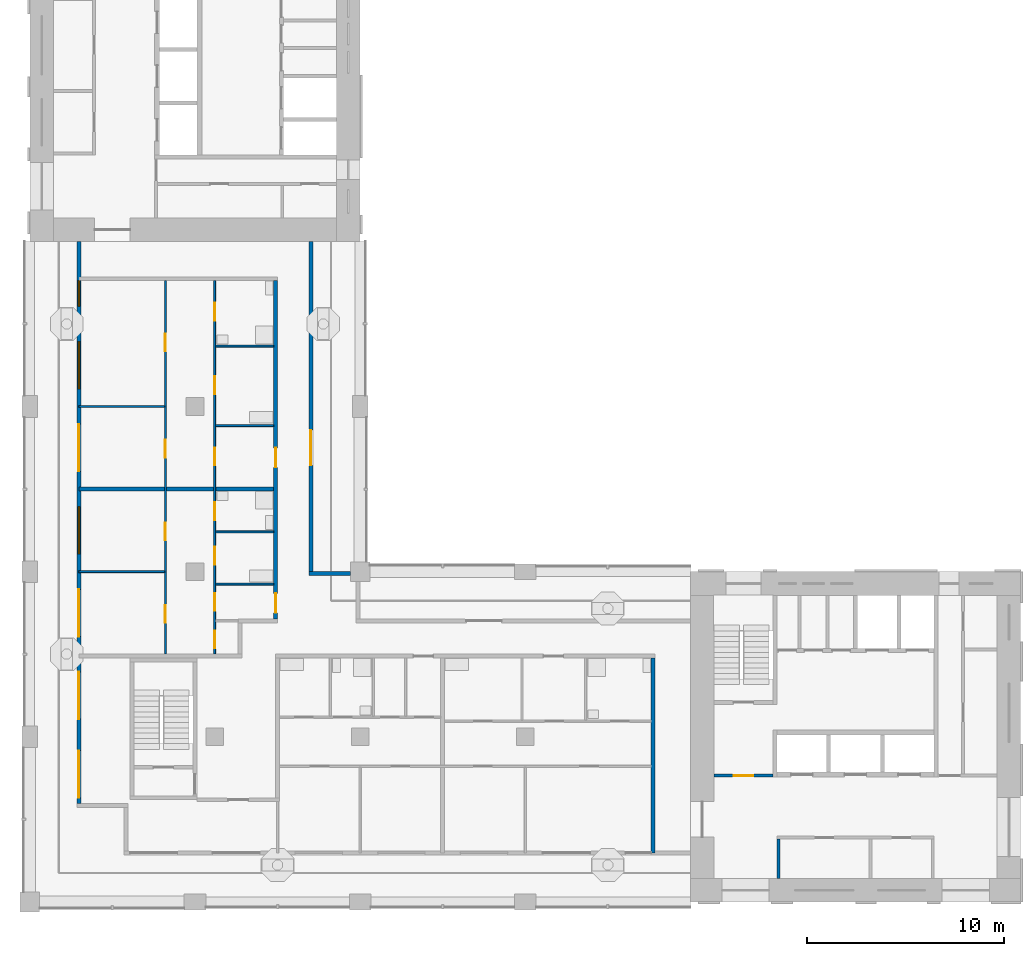
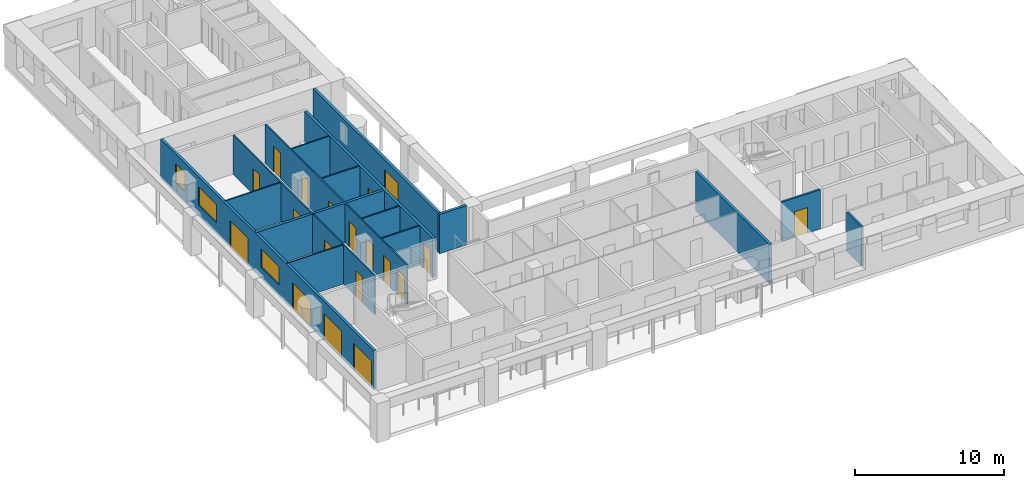
# One storey, part 3 of 12: 19 doors, 16 walls, 3 windows, 22 openings.
"""IFC4 building model written with IfcOpenShell, lengths in metres."""

from ifc_helpers import new_model, si_unit, direction, frame, frame_2d, origin, place, context, subcontext, project, spatial, rectangle, extrude, material, layer, layer_set, type_object, element, fill, save


model = new_model("IFC4")

# Units and contexts
model_context = context("Model", 3, precision=1e-05, world=origin(), true_north=direction((0.0, 1.0)))
body_context = subcontext(model_context, "Body", "Model", "MODEL_VIEW")
ifc_project = project(units=[si_unit("LENGTHUNIT", "METRE"), si_unit("AREAUNIT", "SQUARE_METRE"), si_unit("VOLUMEUNIT", "CUBIC_METRE"), si_unit("PLANEANGLEUNIT", "RADIAN"), si_unit("MASSUNIT", "GRAM", prefix="KILO")], contexts=[model_context])

# Site, building, storey
site_placement = place(None, origin())
site = spatial("IfcSite", under=ifc_project, at=site_placement, CompositionType="ELEMENT")
building_placement = place(site_placement, origin())
building = spatial("IfcBuilding", under=site, at=building_placement, Name="Vermilion Gate Residences", CompositionType="ELEMENT")
storey_placement = place(building_placement, frame((0.0, 0.0, 214.199951171875)))
storey = spatial("IfcBuildingStorey", under=building, at=storey_placement, Name="L55", CompositionType="ELEMENT", Elevation=214.199951171875)

# Wall
ifc_material_1 = material(Name="Masonry blockwork", Category="masonry")
ifc_layer_1 = layer(ifc_material_1, 0.14990234375)
ifc_layer_set_1 = layer_set([ifc_layer_1], Name="BLOCKWORK PARTITION 150 EI 120")
wall_type_1 = type_object("IfcWallType", Name="BLOCKWORK PARTITION 150 EI 120", PredefinedType="PARTITIONING", material=ifc_layer_set_1)
wall_1_placement = place(storey_placement, frame((46.47509765625, 9.60009765625, 0.0), z_axis=(0.0, 0.0, 1.0), x_axis=(0.0, 1.0, 0.0)))
element("IfcWall", 1, at=wall_1_placement, inside=storey, type_object=wall_type_1, Name="Core room partition A55-RW-W", PredefinedType="PARTITIONING", context=body_context, shape_type="SweptSolid", body=[
    extrude(rectangle(XDim=2.0, YDim=0.14990234375, at=frame_2d((1.0, 0.0))), origin(), (0.0, 0.0, 1.0), 3.219970703125),
])

# Wall, opening, door
wall_2_placement = place(storey_placement, frame((43.199951171875, 14.824951171875, 0.0), z_axis=(0.0, 0.0, 1.0), x_axis=(1.0, 0.0, 0.0)))
wall_2 = element("IfcWall", 2, at=wall_2_placement, inside=storey, type_object=wall_type_1, Name="Core room partition A55-VW-S", PredefinedType="PARTITIONING", context=body_context, shape_type="SweptSolid", body=[
    extrude(rectangle(XDim=3.0, YDim=0.14990234375, at=frame_2d((1.5, 0.0))), origin(), (0.0, 0.0, 1.0), 3.219970703125),
])
opening_1_placement = place(wall_2_placement, frame((1.0, 0.0, 0.0)))
opening_1 = element("IfcOpeningElement", 3, at=opening_1_placement, cuts=wall_2, Name="Opening DK55012", PredefinedType="OPENING", context=body_context, shape_type="SweptSolid", body=[
    extrude(rectangle(XDim=1.0, YDim=2.10009765625, at=frame_2d((0.5, 1.050048828125))), frame((0.0, 0.0849609375, 0.0), z_axis=(0.0, -1.0, 0.0), x_axis=(1.0, 0.0, 0.0)), (0.0, 0.0, 1.0), 0.169921875),
])
ifc_material_2 = material(Name="Steel", Category="steel")
door_type_1 = type_object("IfcDoorType", Name="FIRE DOOR FD60 1000 X 2100", OperationType="SINGLE_SWING_LEFT", PredefinedType="DOOR", material=ifc_material_2)
door_1_placement = place(opening_1_placement, frame((1.0, 0.0, 0.0), z_axis=(0.0, 0.0, 1.0), x_axis=(-1.0, 0.0, 0.0)))
door_1 = element("IfcDoor", 4, at=door_1_placement, inside=storey, type_object=door_type_1, Name="Stair vestibule door A55", OperationType="SINGLE_SWING_RIGHT", OverallHeight=2.10009765625, OverallWidth=1.0, PredefinedType="DOOR", context=body_context, shape_type="SweptSolid", body=[
    extrude(rectangle(XDim=1.0, YDim=2.10009765625, at=frame_2d((0.5, 1.050048828125))), frame((0.0, 0.02490234375, 0.0), z_axis=(0.0, -1.0, 0.0), x_axis=(1.0, 0.0, 0.0)), (0.0, 0.0, 1.0), 0.050048828125),
])
fill(opening_1, door_1)

# Wall, openings, doors, windows
ifc_material_3 = material(Name="Insulated steel stud wall with terracotta rainscreen", Category="masonry")
ifc_layer_2 = layer(ifc_material_3, 0.199951171875)
ifc_layer_set_2 = layer_set([ifc_layer_2], Name="EXTERNAL WALL 200 TERRACOTTA RAINSCREEN")
wall_type_2 = type_object("IfcWallType", Name="EXTERNAL WALL 200 TERRACOTTA RAINSCREEN", PredefinedType="SOLIDWALL", material=ifc_layer_set_2)
wall_3_placement = place(storey_placement, frame((10.89990234375, 42.0, 0.0), z_axis=(0.0, 0.0, 1.0), x_axis=(0.0, -1.0, 0.0)))
wall_3 = element("IfcWall", 5, at=wall_3_placement, inside=storey, type_object=wall_type_2, Name="External wall", PredefinedType="SOLIDWALL", context=body_context, shape_type="SweptSolid", body=[
    extrude(rectangle(XDim=28.60009765625, YDim=0.199951171875, at=frame_2d((14.300048828125, 0.0))), origin(), (0.0, 0.0, 1.0), 3.219970703125),
])
opening_2_placement = place(wall_3_placement, frame((25.89990234375, 0.0, 0.0)))
opening_2 = element("IfcOpeningElement", 6, at=opening_2_placement, cuts=wall_3, Name="Opening DE55001", PredefinedType="OPENING", context=body_context, shape_type="SweptSolid", body=[
    extrude(rectangle(XDim=2.39990234375, YDim=2.199951171875, at=frame_2d((1.199951171875, 1.10009765625))), frame((0.0, 0.10986328125, 0.0), z_axis=(0.0, -1.0, 0.0), x_axis=(1.0, 0.0, 0.0)), (0.0, 0.0, 1.0), 0.219970703125),
])
opening_3_placement = place(wall_3_placement, frame((21.89990234375, 0.0, 0.0)))
opening_3 = element("IfcOpeningElement", 7, at=opening_3_placement, cuts=wall_3, Name="Opening DE55002", PredefinedType="OPENING", context=body_context, shape_type="SweptSolid", body=[
    extrude(rectangle(XDim=2.39990234375, YDim=2.199951171875, at=frame_2d((1.199951171875, 1.10009765625))), frame((0.0, 0.10986328125, 0.0), z_axis=(0.0, -1.0, 0.0), x_axis=(1.0, 0.0, 0.0)), (0.0, 0.0, 1.0), 0.219970703125),
])
opening_4_placement = place(wall_3_placement, frame((17.699951171875, 0.0, 0.0)))
opening_4 = element("IfcOpeningElement", 8, at=opening_4_placement, cuts=wall_3, Name="Opening DE55003", PredefinedType="OPENING", context=body_context, shape_type="SweptSolid", body=[
    extrude(rectangle(XDim=2.39990234375, YDim=2.199951171875, at=frame_2d((1.199951171875, 1.10009765625))), frame((0.0, 0.10986328125, 0.0), z_axis=(0.0, -1.0, 0.0), x_axis=(1.0, 0.0, 0.0)), (0.0, 0.0, 1.0), 0.219970703125),
])
opening_5_placement = place(wall_3_placement, frame((13.5, 0.0, 0.89990234375)))
opening_5 = element("IfcOpeningElement", 9, at=opening_5_placement, cuts=wall_3, Name="Opening WE55004", PredefinedType="OPENING", context=body_context, shape_type="SweptSolid", body=[
    extrude(rectangle(XDim=2.39990234375, YDim=1.5, at=frame_2d((1.199951171875, 0.75))), frame((0.0, 0.10986328125, 0.0), z_axis=(0.0, -1.0, 0.0), x_axis=(1.0, 0.0, 0.0)), (0.0, 0.0, 1.0), 0.219970703125),
])
opening_6_placement = place(wall_3_placement, frame((9.300048828125, 0.0, 0.0)))
opening_6 = element("IfcOpeningElement", 10, at=opening_6_placement, cuts=wall_3, Name="Opening DE55005", PredefinedType="OPENING", context=body_context, shape_type="SweptSolid", body=[
    extrude(rectangle(XDim=2.39990234375, YDim=2.199951171875, at=frame_2d((1.199951171875, 1.10009765625))), frame((0.0, 0.10986328125, 0.0), z_axis=(0.0, -1.0, 0.0), x_axis=(1.0, 0.0, 0.0)), (0.0, 0.0, 1.0), 0.219970703125),
])
opening_7_placement = place(wall_3_placement, frame((5.10009765625, 0.0, 0.89990234375)))
opening_7 = element("IfcOpeningElement", 11, at=opening_7_placement, cuts=wall_3, Name="Opening WE55006", PredefinedType="OPENING", context=body_context, shape_type="SweptSolid", body=[
    extrude(rectangle(XDim=2.39990234375, YDim=1.5, at=frame_2d((1.199951171875, 0.75))), frame((0.0, 0.10986328125, 0.0), z_axis=(0.0, -1.0, 0.0), x_axis=(1.0, 0.0, 0.0)), (0.0, 0.0, 1.0), 0.219970703125),
])
opening_8_placement = place(wall_3_placement, frame((2.0, 0.0, 0.89990234375)))
opening_8 = element("IfcOpeningElement", 12, at=opening_8_placement, cuts=wall_3, Name="Opening WE55007", PredefinedType="OPENING", context=body_context, shape_type="SweptSolid", body=[
    extrude(rectangle(XDim=1.300048828125, YDim=1.5, at=frame_2d((0.64990234375, 0.75))), frame((0.0, 0.10986328125, 0.0), z_axis=(0.0, -1.0, 0.0), x_axis=(1.0, 0.0, 0.0)), (0.0, 0.0, 1.0), 0.219970703125),
])
ifc_material_4 = material(Name="Aluminium and clear glass", Category="aluminium")
door_type_2 = type_object("IfcDoorType", Name="SLIDING GLAZED DOOR 2400 X 2200", OperationType="DOUBLE_DOOR_SLIDING", PredefinedType="DOOR", material=ifc_material_4)
door_2_placement = place(opening_2_placement, origin())
door_2 = element("IfcDoor", 13, at=door_2_placement, inside=storey, type_object=door_type_2, Name="Loggia sliding door", OperationType="DOUBLE_DOOR_SLIDING", OverallHeight=2.199951171875, OverallWidth=2.39990234375, PredefinedType="DOOR", context=body_context, shape_type="SweptSolid", body=[
    extrude(rectangle(XDim=2.39990234375, YDim=2.199951171875, at=frame_2d((1.199951171875, 1.10009765625))), frame((0.0, 0.02490234375, 0.0), z_axis=(0.0, -1.0, 0.0), x_axis=(1.0, 0.0, 0.0)), (0.0, 0.0, 1.0), 0.050048828125),
])
fill(opening_2, door_2)
door_3_placement = place(opening_3_placement, origin())
door_3 = element("IfcDoor", 14, at=door_3_placement, inside=storey, type_object=door_type_2, Name="Loggia sliding door", OperationType="DOUBLE_DOOR_SLIDING", OverallHeight=2.199951171875, OverallWidth=2.39990234375, PredefinedType="DOOR", context=body_context, shape_type="SweptSolid", body=[
    extrude(rectangle(XDim=2.39990234375, YDim=2.199951171875, at=frame_2d((1.199951171875, 1.10009765625))), frame((0.0, 0.02490234375, 0.0), z_axis=(0.0, -1.0, 0.0), x_axis=(1.0, 0.0, 0.0)), (0.0, 0.0, 1.0), 0.050048828125),
])
fill(opening_3, door_3)
door_4_placement = place(opening_4_placement, origin())
door_4 = element("IfcDoor", 15, at=door_4_placement, inside=storey, type_object=door_type_2, Name="Loggia sliding door", OperationType="DOUBLE_DOOR_SLIDING", OverallHeight=2.199951171875, OverallWidth=2.39990234375, PredefinedType="DOOR", context=body_context, shape_type="SweptSolid", body=[
    extrude(rectangle(XDim=2.39990234375, YDim=2.199951171875, at=frame_2d((1.199951171875, 1.10009765625))), frame((0.0, 0.02490234375, 0.0), z_axis=(0.0, -1.0, 0.0), x_axis=(1.0, 0.0, 0.0)), (0.0, 0.0, 1.0), 0.050048828125),
])
fill(opening_4, door_4)
door_5_placement = place(opening_6_placement, origin())
door_5 = element("IfcDoor", 16, at=door_5_placement, inside=storey, type_object=door_type_2, Name="Loggia sliding door", OperationType="DOUBLE_DOOR_SLIDING", OverallHeight=2.199951171875, OverallWidth=2.39990234375, PredefinedType="DOOR", context=body_context, shape_type="SweptSolid", body=[
    extrude(rectangle(XDim=2.39990234375, YDim=2.199951171875, at=frame_2d((1.199951171875, 1.10009765625))), frame((0.0, 0.02490234375, 0.0), z_axis=(0.0, -1.0, 0.0), x_axis=(1.0, 0.0, 0.0)), (0.0, 0.0, 1.0), 0.050048828125),
])
fill(opening_6, door_5)
ifc_material_5 = material(Name="Aluminium and clear glass", Category="aluminium")
window_type_1 = type_object("IfcWindowType", Name="WINDOW 1300 X 1500", PartitioningType="SINGLE_PANEL", PredefinedType="WINDOW", material=ifc_material_5)
window_1_placement = place(opening_8_placement, origin())
window_1 = element("IfcWindow", 17, at=window_1_placement, inside=storey, type_object=window_type_1, Name="Window", OverallHeight=1.5, OverallWidth=1.300048828125, PartitioningType="SINGLE_PANEL", PredefinedType="WINDOW", context=body_context, shape_type="SweptSolid", body=[
    extrude(rectangle(XDim=1.300048828125, YDim=1.5, at=frame_2d((0.64990234375, 0.75))), frame((0.0, 0.030029296875, 0.0), z_axis=(0.0, -1.0, 0.0), x_axis=(1.0, 0.0, 0.0)), (0.0, 0.0, 1.0), 0.06005859375),
])
fill(opening_8, window_1)
ifc_material_6 = material(Name="Aluminium and clear glass", Category="aluminium")
window_type_2 = type_object("IfcWindowType", Name="WINDOW 2400 X 1500", PartitioningType="SINGLE_PANEL", PredefinedType="WINDOW", material=ifc_material_6)
window_2_placement = place(opening_5_placement, origin())
window_2 = element("IfcWindow", 18, at=window_2_placement, inside=storey, type_object=window_type_2, Name="Window", OverallHeight=1.5, OverallWidth=2.39990234375, PartitioningType="SINGLE_PANEL", PredefinedType="WINDOW", context=body_context, shape_type="SweptSolid", body=[
    extrude(rectangle(XDim=2.39990234375, YDim=1.5, at=frame_2d((1.199951171875, 0.75))), frame((0.0, 0.030029296875, 0.0), z_axis=(0.0, -1.0, 0.0), x_axis=(1.0, 0.0, 0.0)), (0.0, 0.0, 1.0), 0.06005859375),
])
fill(opening_5, window_2)
window_3_placement = place(opening_7_placement, origin())
window_3 = element("IfcWindow", 19, at=window_3_placement, inside=storey, type_object=window_type_2, Name="Window", OverallHeight=1.5, OverallWidth=2.39990234375, PartitioningType="SINGLE_PANEL", PredefinedType="WINDOW", context=body_context, shape_type="SweptSolid", body=[
    extrude(rectangle(XDim=2.39990234375, YDim=1.5, at=frame_2d((1.199951171875, 0.75))), frame((0.0, 0.030029296875, 0.0), z_axis=(0.0, -1.0, 0.0), x_axis=(1.0, 0.0, 0.0)), (0.0, 0.0, 1.0), 0.06005859375),
])
fill(opening_7, window_3)

# Wall
wall_4_placement = place(storey_placement, frame((24.699951171875, 25.10009765625, 0.0), z_axis=(0.0, 0.0, 1.0), x_axis=(-1.0, 0.0, 0.0)))
element("IfcWall", 20, at=wall_4_placement, inside=storey, type_object=wall_type_2, Name="External wall", PredefinedType="SOLIDWALL", context=body_context, shape_type="SweptSolid", body=[
    extrude(rectangle(XDim=2.099853515625, YDim=0.199951171875, at=frame_2d((1.0498046875, 0.0))), origin(), (0.0, 0.0, 1.0), 3.219970703125),
])

# Wall, opening, door
wall_5_placement = place(storey_placement, frame((22.699951171875, 25.199951171875, 0.0), z_axis=(0.0, 0.0, 1.0), x_axis=(0.0, 1.0, 0.0)))
wall_5 = element("IfcWall", 21, at=wall_5_placement, inside=storey, type_object=wall_type_2, Name="External wall", PredefinedType="SOLIDWALL", context=body_context, shape_type="SweptSolid", body=[
    extrude(rectangle(XDim=16.800048828125, YDim=0.199951171875, at=frame_2d((8.39990234375, 0.0))), origin(), (0.0, 0.0, 1.0), 3.219970703125),
])
opening_9_placement = place(wall_5_placement, frame((5.39990234375, 0.0, 0.0)))
opening_9 = element("IfcOpeningElement", 22, at=opening_9_placement, cuts=wall_5, Name="Opening DE55016", PredefinedType="OPENING", context=body_context, shape_type="SweptSolid", body=[
    extrude(rectangle(XDim=1.800048828125, YDim=2.39990234375, at=frame_2d((0.89990234375, 1.199951171875))), frame((0.0, 0.10986328125, 0.0), z_axis=(0.0, -1.0, 0.0), x_axis=(1.0, 0.0, 0.0)), (0.0, 0.0, 1.0), 0.219970703125),
])
ifc_material_7 = material(Name="Aluminium and clear glass", Category="aluminium")
door_type_3 = type_object("IfcDoorType", Name="GLAZED EXTERNAL DOOR 1800 X 2400", OperationType="DOUBLE_DOOR_SINGLE_SWING", PredefinedType="DOOR", material=ifc_material_7)
door_6_placement = place(opening_9_placement, frame((1.800048828125, 0.0, 0.0), z_axis=(0.0, 0.0, 1.0), x_axis=(-1.0, 0.0, 0.0)))
door_6 = element("IfcDoor", 23, at=door_6_placement, inside=storey, type_object=door_type_3, Name="Gallery door", OperationType="DOUBLE_DOOR_SINGLE_SWING", OverallHeight=2.39990234375, OverallWidth=1.800048828125, PredefinedType="DOOR", context=body_context, shape_type="SweptSolid", body=[
    extrude(rectangle(XDim=1.800048828125, YDim=2.39990234375, at=frame_2d((0.89990234375, 1.199951171875))), frame((0.0, 0.02490234375, 0.0), z_axis=(0.0, -1.0, 0.0), x_axis=(1.0, 0.0, 0.0)), (0.0, 0.0, 1.0), 0.050048828125),
])
fill(opening_9, door_6)

# Walls
ifc_material_8 = material(Name="Plasterboard on steel studs", Category="steel")
ifc_layer_3 = layer(ifc_material_8, 0.10009765625)
ifc_layer_set_3 = layer_set([ifc_layer_3], Name="PARTITION 100")
wall_type_3 = type_object("IfcWallType", Name="PARTITION 100", PredefinedType="PARTITIONING", material=ifc_layer_set_3)
wall_6_placement = place(storey_placement, frame((17.85009765625, 24.56298828125, 0.0), z_axis=(0.0, 0.0, 1.0), x_axis=(1.0, 0.0, 0.0)))
element("IfcWall", 24, at=wall_6_placement, inside=storey, type_object=wall_type_3, Name="Partition", PredefinedType="PARTITIONING", context=body_context, shape_type="SweptSolid", body=[
    extrude(rectangle(XDim=2.949951171875, YDim=0.10009765625, at=frame_2d((1.47509765625, 0.0))), origin(), (0.0, 0.0, 1.0), 3.219970703125),
])
wall_7_placement = place(storey_placement, frame((10.89990234375, 25.199951171875, 0.0), z_axis=(0.0, 0.0, 1.0), x_axis=(1.0, 0.0, 0.0)))
element("IfcWall", 25, at=wall_7_placement, inside=storey, type_object=wall_type_3, Name="Partition", PredefinedType="PARTITIONING", context=body_context, shape_type="SweptSolid", body=[
    extrude(rectangle(XDim=4.35009765625, YDim=0.10009765625, at=frame_2d((2.175048828125, 0.0))), origin(), (0.0, 0.0, 1.0), 3.219970703125),
])
for number, where, z_axis, x_axis, name in (
    (26, (17.85009765625, 27.22509765625, 0.0), (0.0, 0.0, 1.0), (1.0, 0.0, 0.0), "Partition"),
    (27, (17.85009765625, 32.633056640625, 0.0), (0.0, 0.0, 1.0), (1.0, 0.0, 0.0), "Partition"),
):
    element("IfcWall", number, at=place(storey_placement, frame(where, z_axis=z_axis, x_axis=x_axis)), inside=storey, type_object=wall_type_3, Name=name, PredefinedType="PARTITIONING", context=body_context, shape_type="SweptSolid", body=[
        extrude(rectangle(XDim=2.949951171875, YDim=0.10009765625, at=frame_2d((1.47509765625, 0.0))), origin(), (0.0, 0.0, 1.0), 3.219970703125),
    ])
wall_8_placement = place(storey_placement, frame((10.89990234375, 33.60009765625, 0.0), z_axis=(0.0, 0.0, 1.0), x_axis=(1.0, 0.0, 0.0)))
element("IfcWall", 28, at=wall_8_placement, inside=storey, type_object=wall_type_3, Name="Partition", PredefinedType="PARTITIONING", context=body_context, shape_type="SweptSolid", body=[
    extrude(rectangle(XDim=4.35009765625, YDim=0.10009765625, at=frame_2d((2.175048828125, 0.0))), origin(), (0.0, 0.0, 1.0), 3.219970703125),
])
wall_9_placement = place(storey_placement, frame((17.85009765625, 36.6669921875, 0.0), z_axis=(0.0, 0.0, 1.0), x_axis=(1.0, 0.0, 0.0)))
element("IfcWall", 29, at=wall_9_placement, inside=storey, type_object=wall_type_3, Name="Partition", PredefinedType="PARTITIONING", context=body_context, shape_type="SweptSolid", body=[
    extrude(rectangle(XDim=2.949951171875, YDim=0.10009765625, at=frame_2d((1.47509765625, 0.0))), origin(), (0.0, 0.0, 1.0), 3.219970703125),
])

# Wall, openings, doors
wall_10_placement = place(storey_placement, frame((15.300048828125, 21.0, 0.0), z_axis=(0.0, 0.0, 1.0), x_axis=(0.0, 1.0, 0.0)))
wall_10 = element("IfcWall", 30, at=wall_10_placement, inside=storey, type_object=wall_type_3, Name="Partition", PredefinedType="PARTITIONING", context=body_context, shape_type="SweptSolid", body=[
    extrude(rectangle(XDim=19.0, YDim=0.10009765625, at=frame_2d((9.5, 0.0))), origin(), (0.0, 0.0, 1.0), 3.219970703125),
])
opening_10_placement = place(wall_10_placement, frame((1.60009765625, 0.0, 0.0)))
opening_10 = element("IfcOpeningElement", 31, at=opening_10_placement, cuts=wall_10, Name="Opening DA55015", PredefinedType="OPENING", context=body_context, shape_type="SweptSolid", body=[
    extrude(rectangle(XDim=0.89990234375, YDim=2.10009765625, at=frame_2d((0.449951171875, 1.050048828125))), frame((0.0, 0.06005859375, 0.0), z_axis=(0.0, -1.0, 0.0), x_axis=(1.0, 0.0, 0.0)), (0.0, 0.0, 1.0), 0.1201171875),
])
opening_11_placement = place(wall_10_placement, frame((5.800048828125, 0.0, 0.0)))
opening_11 = element("IfcOpeningElement", 32, at=opening_11_placement, cuts=wall_10, Name="Opening DA55016", PredefinedType="OPENING", context=body_context, shape_type="SweptSolid", body=[
    extrude(rectangle(XDim=0.89990234375, YDim=2.10009765625, at=frame_2d((0.449951171875, 1.050048828125))), frame((0.0, 0.06005859375, 0.0), z_axis=(0.0, -1.0, 0.0), x_axis=(1.0, 0.0, 0.0)), (0.0, 0.0, 1.0), 0.1201171875),
])
opening_12_placement = place(wall_10_placement, frame((10.0, 0.0, 0.0)))
opening_12 = element("IfcOpeningElement", 33, at=opening_12_placement, cuts=wall_10, Name="Opening DA55017", PredefinedType="OPENING", context=body_context, shape_type="SweptSolid", body=[
    extrude(rectangle(XDim=0.89990234375, YDim=2.10009765625, at=frame_2d((0.449951171875, 1.050048828125))), frame((0.0, 0.06005859375, 0.0), z_axis=(0.0, -1.0, 0.0), x_axis=(1.0, 0.0, 0.0)), (0.0, 0.0, 1.0), 0.1201171875),
])
opening_13_placement = place(wall_10_placement, frame((15.39990234375, 0.0, 0.0)))
opening_13 = element("IfcOpeningElement", 34, at=opening_13_placement, cuts=wall_10, Name="Opening DA55018", PredefinedType="OPENING", context=body_context, shape_type="SweptSolid", body=[
    extrude(rectangle(XDim=0.89990234375, YDim=2.10009765625, at=frame_2d((0.449951171875, 1.050048828125))), frame((0.0, 0.06005859375, 0.0), z_axis=(0.0, -1.0, 0.0), x_axis=(1.0, 0.0, 0.0)), (0.0, 0.0, 1.0), 0.1201171875),
])
ifc_material_9 = material(Name="Timber", Category="wood")
door_type_4 = type_object("IfcDoorType", Name="INTERIOR DOOR 900 X 2100", OperationType="SINGLE_SWING_LEFT", PredefinedType="DOOR", material=ifc_material_9)
door_7_placement = place(opening_10_placement, origin())
door_7 = element("IfcDoor", 35, at=door_7_placement, inside=storey, type_object=door_type_4, Name="Interior door", OperationType="SINGLE_SWING_LEFT", OverallHeight=2.10009765625, OverallWidth=0.89990234375, PredefinedType="DOOR", context=body_context, shape_type="SweptSolid", body=[
    extrude(rectangle(XDim=0.89990234375, YDim=2.10009765625, at=frame_2d((0.449951171875, 1.050048828125))), frame((0.0, 0.02490234375, 0.0), z_axis=(0.0, -1.0, 0.0), x_axis=(1.0, 0.0, 0.0)), (0.0, 0.0, 1.0), 0.050048828125),
])
fill(opening_10, door_7)
door_8_placement = place(opening_11_placement, origin())
door_8 = element("IfcDoor", 36, at=door_8_placement, inside=storey, type_object=door_type_4, Name="Interior door", OperationType="SINGLE_SWING_LEFT", OverallHeight=2.10009765625, OverallWidth=0.89990234375, PredefinedType="DOOR", context=body_context, shape_type="SweptSolid", body=[
    extrude(rectangle(XDim=0.89990234375, YDim=2.10009765625, at=frame_2d((0.449951171875, 1.050048828125))), frame((0.0, 0.02490234375, 0.0), z_axis=(0.0, -1.0, 0.0), x_axis=(1.0, 0.0, 0.0)), (0.0, 0.0, 1.0), 0.050048828125),
])
fill(opening_11, door_8)
door_9_placement = place(opening_12_placement, origin())
door_9 = element("IfcDoor", 37, at=door_9_placement, inside=storey, type_object=door_type_4, Name="Interior door", OperationType="SINGLE_SWING_LEFT", OverallHeight=2.10009765625, OverallWidth=0.89990234375, PredefinedType="DOOR", context=body_context, shape_type="SweptSolid", body=[
    extrude(rectangle(XDim=0.89990234375, YDim=2.10009765625, at=frame_2d((0.449951171875, 1.050048828125))), frame((0.0, 0.02490234375, 0.0), z_axis=(0.0, -1.0, 0.0), x_axis=(1.0, 0.0, 0.0)), (0.0, 0.0, 1.0), 0.050048828125),
])
fill(opening_12, door_9)
door_10_placement = place(opening_13_placement, origin())
door_10 = element("IfcDoor", 38, at=door_10_placement, inside=storey, type_object=door_type_4, Name="Interior door", OperationType="SINGLE_SWING_RIGHT", OverallHeight=2.10009765625, OverallWidth=0.89990234375, PredefinedType="DOOR", context=body_context, shape_type="SweptSolid", body=[
    extrude(rectangle(XDim=0.89990234375, YDim=2.10009765625, at=frame_2d((0.449951171875, 1.050048828125))), frame((0.0, 0.02490234375, 0.0), z_axis=(0.0, -1.0, 0.0), x_axis=(1.0, 0.0, 0.0)), (0.0, 0.0, 1.0), 0.050048828125),
])
fill(opening_13, door_10)

wall_11_placement = place(storey_placement, frame((17.800048828125, 21.0, 0.0), z_axis=(0.0, 0.0, 1.0), x_axis=(0.0, 1.0, 0.0)))
wall_11 = element("IfcWall", 39, at=wall_11_placement, inside=storey, type_object=wall_type_3, Name="Partition", PredefinedType="PARTITIONING", context=body_context, shape_type="SweptSolid", body=[
    extrude(rectangle(XDim=19.0, YDim=0.10009765625, at=frame_2d((9.5, 0.0))), origin(), (0.0, 0.0, 1.0), 3.219970703125),
])
opening_14_placement = place(wall_11_placement, frame((2.199951171875, 0.0, 0.0)))
opening_14 = element("IfcOpeningElement", 40, at=opening_14_placement, cuts=wall_11, Name="Opening DA55019", PredefinedType="OPENING", context=body_context, shape_type="SweptSolid", body=[
    extrude(rectangle(XDim=0.89990234375, YDim=2.10009765625, at=frame_2d((0.449951171875, 1.050048828125))), frame((0.0, 0.06005859375, 0.0), z_axis=(0.0, -1.0, 0.0), x_axis=(1.0, 0.0, 0.0)), (0.0, 0.0, 1.0), 0.1201171875),
])
opening_15_placement = place(wall_11_placement, frame((0.300048828125, 0.0, 0.0)))
opening_15 = element("IfcOpeningElement", 41, at=opening_15_placement, cuts=wall_11, Name="Opening DA55020", PredefinedType="OPENING", context=body_context, shape_type="SweptSolid", body=[
    extrude(rectangle(XDim=0.89990234375, YDim=2.10009765625, at=frame_2d((0.449951171875, 1.050048828125))), frame((0.0, 0.06005859375, 0.0), z_axis=(0.0, -1.0, 0.0), x_axis=(1.0, 0.0, 0.0)), (0.0, 0.0, 1.0), 0.1201171875),
])
opening_16_placement = place(wall_11_placement, frame((4.56298828125, 0.0, 0.0)))
opening_16 = element("IfcOpeningElement", 42, at=opening_16_placement, cuts=wall_11, Name="Opening DA55021", PredefinedType="OPENING", context=body_context, shape_type="SweptSolid", body=[
    extrude(rectangle(XDim=0.89990234375, YDim=2.10009765625, at=frame_2d((0.449951171875, 1.050048828125))), frame((0.0, 0.06005859375, 0.0), z_axis=(0.0, -1.0, 0.0), x_axis=(1.0, 0.0, 0.0)), (0.0, 0.0, 1.0), 0.1201171875),
])
opening_17_placement = place(wall_11_placement, frame((6.824951171875, 0.0, 0.0)))
opening_17 = element("IfcOpeningElement", 43, at=opening_17_placement, cuts=wall_11, Name="Opening DA55022", PredefinedType="OPENING", context=body_context, shape_type="SweptSolid", body=[
    extrude(rectangle(XDim=0.89990234375, YDim=2.10009765625, at=frame_2d((0.449951171875, 1.050048828125))), frame((0.0, 0.06005859375, 0.0), z_axis=(0.0, -1.0, 0.0), x_axis=(1.0, 0.0, 0.0)), (0.0, 0.0, 1.0), 0.1201171875),
])
opening_18_placement = place(wall_11_placement, frame((9.60009765625, 0.0, 0.0)))
opening_18 = element("IfcOpeningElement", 44, at=opening_18_placement, cuts=wall_11, Name="Opening DA55023", PredefinedType="OPENING", context=body_context, shape_type="SweptSolid", body=[
    extrude(rectangle(XDim=0.89990234375, YDim=2.10009765625, at=frame_2d((0.449951171875, 1.050048828125))), frame((0.0, 0.06005859375, 0.0), z_axis=(0.0, -1.0, 0.0), x_axis=(1.0, 0.0, 0.0)), (0.0, 0.0, 1.0), 0.1201171875),
])
opening_19_placement = place(wall_11_placement, frame((13.23291015625, 0.0, 0.0)))
opening_19 = element("IfcOpeningElement", 45, at=opening_19_placement, cuts=wall_11, Name="Opening DA55024", PredefinedType="OPENING", context=body_context, shape_type="SweptSolid", body=[
    extrude(rectangle(XDim=0.89990234375, YDim=2.10009765625, at=frame_2d((0.449951171875, 1.050048828125))), frame((0.0, 0.06005859375, 0.0), z_axis=(0.0, -1.0, 0.0), x_axis=(1.0, 0.0, 0.0)), (0.0, 0.0, 1.0), 0.1201171875),
])
opening_20_placement = place(wall_11_placement, frame((16.967041015625, 0.0, 0.0)))
opening_20 = element("IfcOpeningElement", 46, at=opening_20_placement, cuts=wall_11, Name="Opening DA55025", PredefinedType="OPENING", context=body_context, shape_type="SweptSolid", body=[
    extrude(rectangle(XDim=0.89990234375, YDim=2.10009765625, at=frame_2d((0.449951171875, 1.050048828125))), frame((0.0, 0.06005859375, 0.0), z_axis=(0.0, -1.0, 0.0), x_axis=(1.0, 0.0, 0.0)), (0.0, 0.0, 1.0), 0.1201171875),
])
door_11_placement = place(opening_14_placement, frame((0.89990234375, 0.0, 0.0), z_axis=(0.0, 0.0, 1.0), x_axis=(-1.0, 0.0, 0.0)))
door_11 = element("IfcDoor", 47, at=door_11_placement, inside=storey, type_object=door_type_4, Name="Interior door", OperationType="SINGLE_SWING_LEFT", OverallHeight=2.10009765625, OverallWidth=0.89990234375, PredefinedType="DOOR", context=body_context, shape_type="SweptSolid", body=[
    extrude(rectangle(XDim=0.89990234375, YDim=2.10009765625, at=frame_2d((0.449951171875, 1.050048828125))), frame((0.0, 0.02490234375, 0.0), z_axis=(0.0, -1.0, 0.0), x_axis=(1.0, 0.0, 0.0)), (0.0, 0.0, 1.0), 0.050048828125),
])
fill(opening_14, door_11)
door_12_placement = place(opening_15_placement, frame((0.89990234375, 0.0, 0.0), z_axis=(0.0, 0.0, 1.0), x_axis=(-1.0, 0.0, 0.0)))
door_12 = element("IfcDoor", 48, at=door_12_placement, inside=storey, type_object=door_type_4, Name="Interior door", OperationType="SINGLE_SWING_RIGHT", OverallHeight=2.10009765625, OverallWidth=0.89990234375, PredefinedType="DOOR", context=body_context, shape_type="SweptSolid", body=[
    extrude(rectangle(XDim=0.89990234375, YDim=2.10009765625, at=frame_2d((0.449951171875, 1.050048828125))), frame((0.0, 0.02490234375, 0.0), z_axis=(0.0, -1.0, 0.0), x_axis=(1.0, 0.0, 0.0)), (0.0, 0.0, 1.0), 0.050048828125),
])
fill(opening_15, door_12)
door_13_placement = place(opening_16_placement, frame((0.89990234375, 0.0, 0.0), z_axis=(0.0, 0.0, 1.0), x_axis=(-1.0, 0.0, 0.0)))
door_13 = element("IfcDoor", 49, at=door_13_placement, inside=storey, type_object=door_type_4, Name="Interior door", OperationType="SINGLE_SWING_LEFT", OverallHeight=2.10009765625, OverallWidth=0.89990234375, PredefinedType="DOOR", context=body_context, shape_type="SweptSolid", body=[
    extrude(rectangle(XDim=0.89990234375, YDim=2.10009765625, at=frame_2d((0.449951171875, 1.050048828125))), frame((0.0, 0.02490234375, 0.0), z_axis=(0.0, -1.0, 0.0), x_axis=(1.0, 0.0, 0.0)), (0.0, 0.0, 1.0), 0.050048828125),
])
fill(opening_16, door_13)
door_14_placement = place(opening_17_placement, frame((0.89990234375, 0.0, 0.0), z_axis=(0.0, 0.0, 1.0), x_axis=(-1.0, 0.0, 0.0)))
door_14 = element("IfcDoor", 50, at=door_14_placement, inside=storey, type_object=door_type_4, Name="Interior door", OperationType="SINGLE_SWING_LEFT", OverallHeight=2.10009765625, OverallWidth=0.89990234375, PredefinedType="DOOR", context=body_context, shape_type="SweptSolid", body=[
    extrude(rectangle(XDim=0.89990234375, YDim=2.10009765625, at=frame_2d((0.449951171875, 1.050048828125))), frame((0.0, 0.02490234375, 0.0), z_axis=(0.0, -1.0, 0.0), x_axis=(1.0, 0.0, 0.0)), (0.0, 0.0, 1.0), 0.050048828125),
])
fill(opening_17, door_14)
door_15_placement = place(opening_18_placement, frame((0.89990234375, 0.0, 0.0), z_axis=(0.0, 0.0, 1.0), x_axis=(-1.0, 0.0, 0.0)))
door_15 = element("IfcDoor", 51, at=door_15_placement, inside=storey, type_object=door_type_4, Name="Interior door", OperationType="SINGLE_SWING_LEFT", OverallHeight=2.10009765625, OverallWidth=0.89990234375, PredefinedType="DOOR", context=body_context, shape_type="SweptSolid", body=[
    extrude(rectangle(XDim=0.89990234375, YDim=2.10009765625, at=frame_2d((0.449951171875, 1.050048828125))), frame((0.0, 0.02490234375, 0.0), z_axis=(0.0, -1.0, 0.0), x_axis=(1.0, 0.0, 0.0)), (0.0, 0.0, 1.0), 0.050048828125),
])
fill(opening_18, door_15)
door_16_placement = place(opening_19_placement, frame((0.89990234375, 0.0, 0.0), z_axis=(0.0, 0.0, 1.0), x_axis=(-1.0, 0.0, 0.0)))
door_16 = element("IfcDoor", 52, at=door_16_placement, inside=storey, type_object=door_type_4, Name="Interior door", OperationType="SINGLE_SWING_LEFT", OverallHeight=2.10009765625, OverallWidth=0.89990234375, PredefinedType="DOOR", context=body_context, shape_type="SweptSolid", body=[
    extrude(rectangle(XDim=0.89990234375, YDim=2.10009765625, at=frame_2d((0.449951171875, 1.050048828125))), frame((0.0, 0.02490234375, 0.0), z_axis=(0.0, -1.0, 0.0), x_axis=(1.0, 0.0, 0.0)), (0.0, 0.0, 1.0), 0.050048828125),
])
fill(opening_19, door_16)
door_17_placement = place(opening_20_placement, frame((0.89990234375, 0.0, 0.0), z_axis=(0.0, 0.0, 1.0), x_axis=(-1.0, 0.0, 0.0)))
door_17 = element("IfcDoor", 53, at=door_17_placement, inside=storey, type_object=door_type_4, Name="Interior door", OperationType="SINGLE_SWING_RIGHT", OverallHeight=2.10009765625, OverallWidth=0.89990234375, PredefinedType="DOOR", context=body_context, shape_type="SweptSolid", body=[
    extrude(rectangle(XDim=0.89990234375, YDim=2.10009765625, at=frame_2d((0.449951171875, 1.050048828125))), frame((0.0, 0.02490234375, 0.0), z_axis=(0.0, -1.0, 0.0), x_axis=(1.0, 0.0, 0.0)), (0.0, 0.0, 1.0), 0.050048828125),
])
fill(opening_20, door_17)

# Wall
ifc_material_10 = material(Name="Fire-rated plasterboard on steel studs", Category="steel")
ifc_layer_4 = layer(ifc_material_10, 0.199951171875)
ifc_layer_set_4 = layer_set([ifc_layer_4], Name="PARTY WALL 200 EI 120")
wall_type_4 = type_object("IfcWallType", Name="PARTY WALL 200 EI 120", PredefinedType="PARTITIONING", material=ifc_layer_set_4)
wall_12_placement = place(storey_placement, frame((10.89990234375, 29.39990234375, 0.0), z_axis=(0.0, 0.0, 1.0), x_axis=(1.0, 0.0, 0.0)))
element("IfcWall", 54, at=wall_12_placement, inside=storey, type_object=wall_type_4, Name="Party and corridor wall", PredefinedType="PARTITIONING", context=body_context, shape_type="SweptSolid", body=[
    extrude(rectangle(XDim=9.900146484375, YDim=0.199951171875, at=frame_2d((4.9501953125, 0.0))), origin(), (0.0, 0.0, 1.0), 3.219970703125),
])

# Wall, openings, doors
wall_13_placement = place(storey_placement, frame((20.89990234375, 22.800048828125, 0.0), z_axis=(0.0, 0.0, 1.0), x_axis=(0.0, 1.0, 0.0)))
wall_13 = element("IfcWall", 55, at=wall_13_placement, inside=storey, type_object=wall_type_4, Name="Party and corridor wall", PredefinedType="PARTITIONING", context=body_context, shape_type="SweptSolid", body=[
    extrude(rectangle(XDim=17.199951171875, YDim=0.199951171875, at=frame_2d((8.60009765625, 0.0))), origin(), (0.0, 0.0, 1.0), 3.219970703125),
])
opening_21_placement = place(wall_13_placement, frame((0.300048828125, 0.0, 0.0)))
opening_21 = element("IfcOpeningElement", 56, at=opening_21_placement, cuts=wall_13, Name="Opening DA55026", PredefinedType="OPENING", context=body_context, shape_type="SweptSolid", body=[
    extrude(rectangle(XDim=1.0, YDim=2.10009765625, at=frame_2d((0.5, 1.050048828125))), frame((0.0, 0.10986328125, 0.0), z_axis=(0.0, -1.0, 0.0), x_axis=(1.0, 0.0, 0.0)), (0.0, 0.0, 1.0), 0.219970703125),
])
opening_22_placement = place(wall_13_placement, frame((7.699951171875, 0.0, 0.0)))
opening_22 = element("IfcOpeningElement", 57, at=opening_22_placement, cuts=wall_13, Name="Opening DA55027", PredefinedType="OPENING", context=body_context, shape_type="SweptSolid", body=[
    extrude(rectangle(XDim=1.0, YDim=2.10009765625, at=frame_2d((0.5, 1.050048828125))), frame((0.0, 0.10986328125, 0.0), z_axis=(0.0, -1.0, 0.0), x_axis=(1.0, 0.0, 0.0)), (0.0, 0.0, 1.0), 0.219970703125),
])
ifc_material_11 = material(Name="Steel", Category="steel")
door_type_5 = type_object("IfcDoorType", Name="ENTRANCE DOOR 1000 X 2100 FD30", OperationType="SINGLE_SWING_LEFT", PredefinedType="DOOR", material=ifc_material_11)
door_18_placement = place(opening_21_placement, origin())
door_18 = element("IfcDoor", 58, at=door_18_placement, inside=storey, type_object=door_type_5, Name="Entrance door", OperationType="SINGLE_SWING_LEFT", OverallHeight=2.10009765625, OverallWidth=1.0, PredefinedType="DOOR", context=body_context, shape_type="SweptSolid", body=[
    extrude(rectangle(XDim=1.0, YDim=2.10009765625, at=frame_2d((0.5, 1.050048828125))), frame((0.0, 0.02490234375, 0.0), z_axis=(0.0, -1.0, 0.0), x_axis=(1.0, 0.0, 0.0)), (0.0, 0.0, 1.0), 0.050048828125),
])
fill(opening_21, door_18)
door_19_placement = place(opening_22_placement, origin())
door_19 = element("IfcDoor", 59, at=door_19_placement, inside=storey, type_object=door_type_5, Name="Entrance door", OperationType="SINGLE_SWING_LEFT", OverallHeight=2.10009765625, OverallWidth=1.0, PredefinedType="DOOR", context=body_context, shape_type="SweptSolid", body=[
    extrude(rectangle(XDim=1.0, YDim=2.10009765625, at=frame_2d((0.5, 1.050048828125))), frame((0.0, 0.02490234375, 0.0), z_axis=(0.0, -1.0, 0.0), x_axis=(1.0, 0.0, 0.0)), (0.0, 0.0, 1.0), 0.050048828125),
])
fill(opening_22, door_19)

# Wall
wall_14_placement = place(storey_placement, frame((40.10009765625, 10.89990234375, 0.0), z_axis=(0.0, 0.0, 1.0), x_axis=(0.0, 1.0, 0.0)))
element("IfcWall", 60, at=wall_14_placement, inside=storey, type_object=wall_type_4, Name="Party and corridor wall", PredefinedType="PARTITIONING", context=body_context, shape_type="SweptSolid", body=[
    extrude(rectangle(XDim=9.900146484375, YDim=0.199951171875, at=frame_2d((4.9501953125, 0.0))), origin(), (0.0, 0.0, 1.0), 3.219970703125),
])

save(model, "model.ifc")
